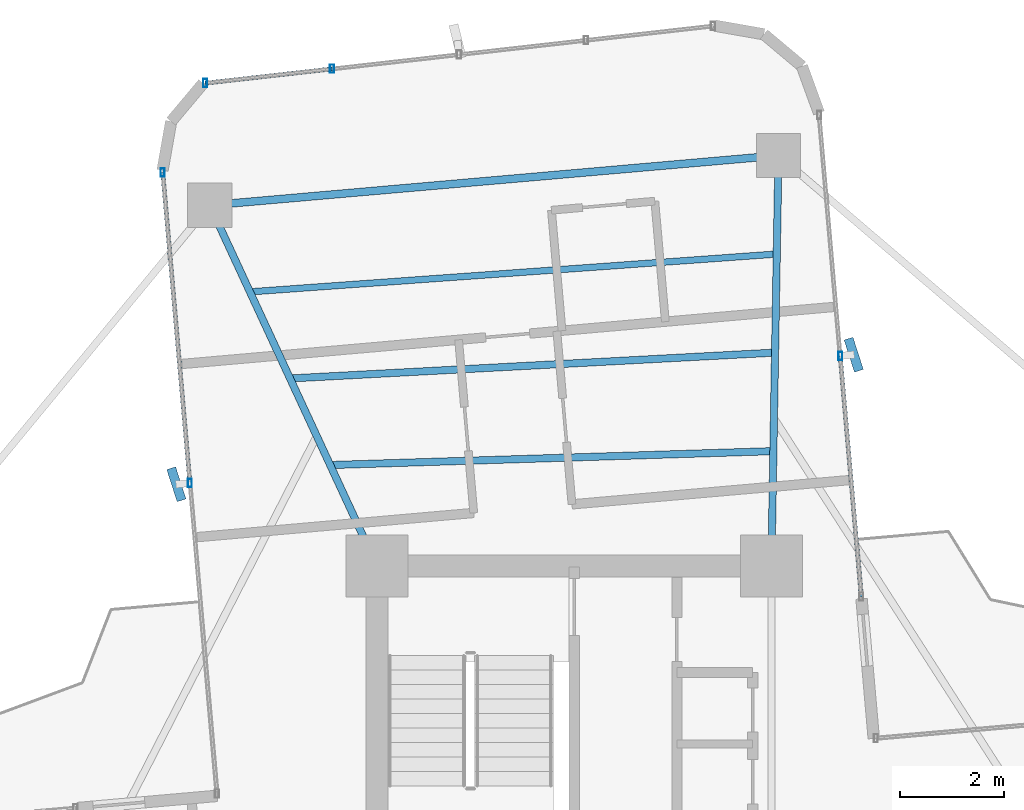
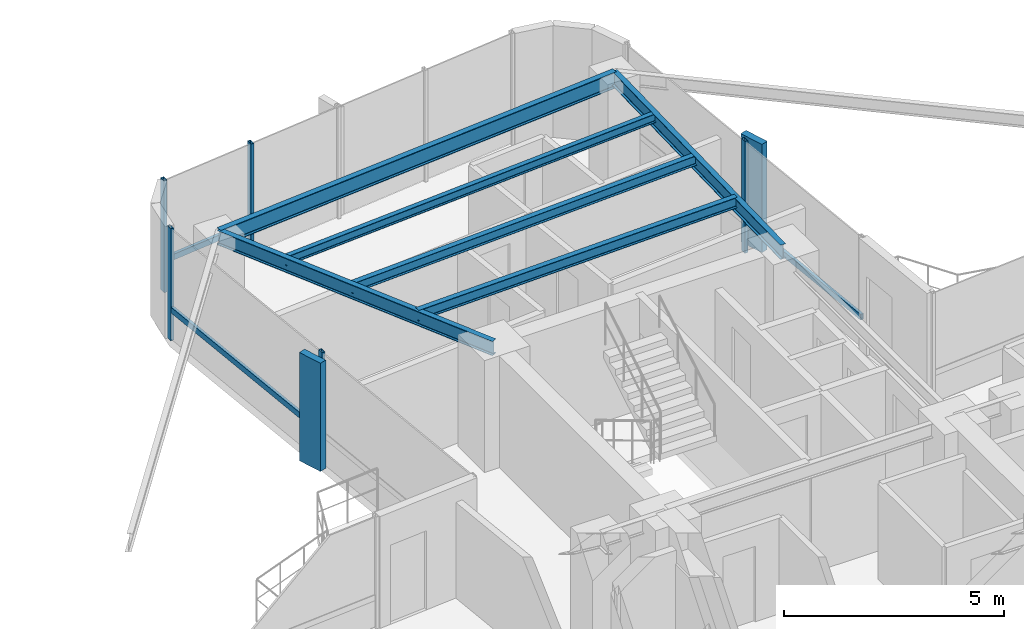
# One storey, part 16 of 24: 10 members, 6 beams, 3 elements without a shape of their own.
"""IFC4 building model written with IfcOpenShell, lengths in metres."""

from ifc_helpers import new_model, si_unit, direction, frame, origin, origin_2d, place, context, subcontext, project, spatial, rectangle, hollow_rectangle, i_section, extrude, source, transform, mapped, material, material_profile, profile_set, type_object, element, aggregate, save


model = new_model("IFC4")

# Units and contexts
model_context = context("Model", 3, precision=1e-05, world=origin(), true_north=direction((0.0, 1.0)))
body_context = subcontext(model_context, "Body", "Model", "MODEL_VIEW")
ifc_project = project(units=[si_unit("LENGTHUNIT", "METRE"), si_unit("AREAUNIT", "SQUARE_METRE"), si_unit("VOLUMEUNIT", "CUBIC_METRE"), si_unit("PLANEANGLEUNIT", "RADIAN"), si_unit("MASSUNIT", "GRAM", prefix="KILO")], contexts=[model_context])

# Site, building, storey
site_placement = place(None, origin())
site = spatial("IfcSite", under=ifc_project, at=site_placement, CompositionType="ELEMENT")
building_placement = place(site_placement, origin())
building = spatial("IfcBuilding", under=site, at=building_placement, Name="Sahyath Konkavel Grand Hotel", CompositionType="ELEMENT")
storey_placement = place(building_placement, frame((0.0, 0.0, 178.550048828125)))
storey = spatial("IfcBuildingStorey", under=building, at=storey_placement, Name="L49", CompositionType="ELEMENT", Elevation=178.550048828125)

# Beams
ifc_material_1 = material(Name="Steel E350", Category="steel")
ifc_material_profile_1 = material_profile(ifc_material_1, i_section(OverallWidth=0.139892578125, OverallDepth=0.39990234375, WebThickness=0.0087890625, FlangeThickness=0.01611328125, FilletRadius=0.013916015625, at=origin_2d()), Name="ISMB 400")
ifc_profile_set_1 = profile_set([ifc_material_profile_1], Name="Steel E350")
beam_type_1 = type_object("IfcBeamType", Name="BM-ISMB400", PredefinedType="BEAM", material=ifc_profile_set_1)
shared_shape_1 = source(origin(), body_context, "Body", "SweptSolid", [
    extrude(i_section(OverallWidth=0.139892578125, OverallDepth=0.39990234375, WebThickness=0.0087890625, FlangeThickness=0.01611328125, FilletRadius=0.013916015625, at=origin_2d()), origin(), (0.0, 0.0, 1.0), 7.913330078125),
])
beam_1_placement = place(storey_placement, frame((3.800048828125, 10.199951171875, 2.909912109375), z_axis=(0.017215419232, 0.999851803689, 0.0), x_axis=(-0.999851803689, 0.017215419232, 0.0)))
element("IfcBeam", 1, at=beam_1_placement, inside=storey, type_object=beam_type_1, Name="L49 Cruciform Radial Girder NA", PredefinedType="BEAM", context=body_context, shape_type="MappedRepresentation", body=[
    mapped(shared_shape_1, transform((0.0, 0.0, 0.0), scale=1.0)),
])
shared_shape_2 = source(origin(), body_context, "Body", "SweptSolid", [
    extrude(i_section(OverallWidth=0.139892578125, OverallDepth=0.39990234375, WebThickness=0.0087890625, FlangeThickness=0.01611328125, FilletRadius=0.013916015625, at=origin_2d()), origin(), (0.0, 0.0, 1.0), 7.66357421875),
])
beam_2_placement = place(storey_placement, frame((-3.800048828125, 10.199951171875, 2.909912109375), z_axis=(-0.420395127561, 0.907341135804, 0.0), x_axis=(-0.907341135804, -0.420395127561, 0.0)))
element("IfcBeam", 2, at=beam_2_placement, inside=storey, type_object=beam_type_1, Name="L49 Cruciform Radial Girder NB", PredefinedType="BEAM", context=body_context, shape_type="MappedRepresentation", body=[
    mapped(shared_shape_2, transform((0.0, 0.0, 0.0), scale=1.0)),
])
ifc_material_profile_2 = material_profile(ifc_material_1, i_section(OverallWidth=0.14990234375, OverallDepth=0.449951171875, WebThickness=0.009521484375, FlangeThickness=0.017333984375, FilletRadius=0.014892578125, at=origin_2d()), Name="ISMB 450")
ifc_profile_set_2 = profile_set([ifc_material_profile_2], Name="Steel E350")
beam_type_2 = type_object("IfcBeamType", Name="BM-ISMB450", PredefinedType="BEAM", material=ifc_profile_set_2)
shared_shape_3 = source(origin(), body_context, "Body", "SweptSolid", [
    extrude(i_section(OverallWidth=0.14990234375, OverallDepth=0.449951171875, WebThickness=0.009521484375, FlangeThickness=0.017333984375, FilletRadius=0.014892578125, at=origin_2d()), origin(), (0.0, 0.0, 1.0), 10.999755859375),
])
beam_3_placement = place(storey_placement, frame((3.936279296875, 18.112060546875, 2.885009765625), z_axis=(-0.99619439202, -0.087159241098, 0.0), x_axis=(0.087159241098, -0.99619439202, 0.0)))
element("IfcBeam", 3, at=beam_3_placement, inside=storey, type_object=beam_type_2, Name="L49 Wing Tip Edge Beam N", PredefinedType="BEAM", context=body_context, shape_type="MappedRepresentation", body=[
    mapped(shared_shape_3, transform((0.0, 0.0, 0.0), scale=1.0)),
])
ifc_material_profile_3 = material_profile(ifc_material_1, i_section(OverallWidth=0.139892578125, OverallDepth=0.300048828125, WebThickness=0.0078125, FlangeThickness=0.01318359375, FilletRadius=0.013916015625, at=origin_2d()), Name="ISMB 300")
ifc_profile_set_3 = profile_set([ifc_material_profile_3], Name="Steel E350")
beam_type_3 = type_object("IfcBeamType", Name="BM-ISMB300", PredefinedType="BEAM", material=ifc_profile_set_3)
shared_shape_4 = source(origin(), body_context, "Body", "SweptSolid", [
    extrude(i_section(OverallWidth=0.139892578125, OverallDepth=0.300048828125, WebThickness=0.0078125, FlangeThickness=0.01318359375, FilletRadius=0.013916015625, at=origin_2d()), origin(), (0.0, 0.0, 1.0), 8.54443359375),
])
beam_4_placement = place(storey_placement, frame((3.838134765625, 12.415283203125, 2.9599609375), z_axis=(-0.999506849365, -0.031401561632, 0.0), x_axis=(0.031401561632, -0.999506849365, 0.0)))
element("IfcBeam", 4, at=beam_4_placement, inside=storey, type_object=beam_type_3, Name="L49 Secondary Floor Beam N-1", PredefinedType="BEAM", context=body_context, shape_type="MappedRepresentation", body=[
    mapped(shared_shape_4, transform((0.0, 0.0, 0.0), scale=1.0)),
])
ifc_material_profile_4 = material_profile(ifc_material_1, i_section(OverallWidth=0.139892578125, OverallDepth=0.27490234375, WebThickness=0.00634765625, FlangeThickness=0.0087890625, FilletRadius=0.012939453125, at=origin_2d()), Name="ISLB 275")
ifc_profile_set_4 = profile_set([ifc_material_profile_4], Name="Steel E350")
beam_type_4 = type_object("IfcBeamType", Name="BM-ISLB275", PredefinedType="BEAM", material=ifc_profile_set_4)
shared_shape_5 = source(origin(), body_context, "Body", "SweptSolid", [
    extrude(i_section(OverallWidth=0.139892578125, OverallDepth=0.27490234375, WebThickness=0.00634765625, FlangeThickness=0.0087890625, FilletRadius=0.012939453125, at=origin_2d()), origin(), (0.0, 0.0, 1.0), 9.359375),
])
beam_5_placement = place(storey_placement, frame((3.870849609375, 14.314208984375, 2.972412109375), z_axis=(-0.998580397723, -0.053265272769, 0.0), x_axis=(0.053265272769, -0.998580397723, 0.0)))
element("IfcBeam", 5, at=beam_5_placement, inside=storey, type_object=beam_type_4, Name="L49 Secondary Floor Beam N-2", PredefinedType="BEAM", context=body_context, shape_type="MappedRepresentation", body=[
    mapped(shared_shape_5, transform((0.0, 0.0, 0.0), scale=1.0)),
])
ifc_material_profile_5 = material_profile(ifc_material_1, i_section(OverallWidth=0.125, OverallDepth=0.25, WebThickness=0.0068359375, FlangeThickness=0.012451171875, FilletRadius=0.012939453125, at=origin_2d()), Name="ISMB 250")
ifc_profile_set_5 = profile_set([ifc_material_profile_5], Name="Steel E350")
beam_type_5 = type_object("IfcBeamType", Name="BM-ISMB250", PredefinedType="BEAM", material=ifc_profile_set_5)
shared_shape_6 = source(origin(), body_context, "Body", "SweptSolid", [
    extrude(i_section(OverallWidth=0.125, OverallDepth=0.25, WebThickness=0.0068359375, FlangeThickness=0.012451171875, FilletRadius=0.012939453125, at=origin_2d()), origin(), (0.0, 0.0, 1.0), 10.178466796875),
])
beam_6_placement = place(storey_placement, frame((3.90380859375, 16.213134765625, 2.98486328125), z_axis=(-0.997435268886, -0.071574327683, 0.0), x_axis=(0.071574327683, -0.997435268886, 0.0)))
element("IfcBeam", 6, at=beam_6_placement, inside=storey, type_object=beam_type_5, Name="L49 Secondary Floor Beam N-3", PredefinedType="BEAM", context=body_context, shape_type="MappedRepresentation", body=[
    mapped(shared_shape_6, transform((0.0, 0.0, 0.0), scale=1.0)),
])

# Curtain wall, member
ifc_material_2 = material(Name="Anodised Bronze Aluminium & Low-E Glazing", Category="aluminium")
curtain_wall_type = type_object("IfcCurtainWallType", Name="CW-ZONE3", PredefinedType="NOTDEFINED", material=ifc_material_2)
curtain_wall_1_placement = place(storey_placement, origin())
curtain_wall_1 = element("IfcCurtainWall", 7, at=curtain_wall_1_placement, inside=storey, type_object=curtain_wall_type, Name="L49 Unitised Curtain Wall F8", PredefinedType="NOTDEFINED")
ifc_material_3 = material(Name="Anodised Bronze Aluminium", Category="aluminium")
ifc_material_profile_6 = material_profile(ifc_material_3, hollow_rectangle(XDim=0.080078125, YDim=0.159912109375, WallThickness=0.006103515625, at=origin_2d()), Name="RHS 160x80x6")
ifc_profile_set_6 = profile_set([ifc_material_profile_6], Name="Anodised Bronze Aluminium")
member_type_1 = type_object("IfcMemberType", Name="CW-MUL-160", PredefinedType="MULLION", material=ifc_profile_set_6)
shared_shape_7 = source(origin(), body_context, "Body", "SweptSolid", [
    extrude(hollow_rectangle(XDim=0.080078125, YDim=0.159912109375, WallThickness=0.006103515625, at=origin_2d()), origin(), (0.0, 0.0, 1.0), 3.10986328125),
])
member_1_placement = place(storey_placement, frame((5.12744140625, 14.251220703125, 0.0), z_axis=(0.0, 0.0, 1.0), x_axis=(1.0, 0.0, 0.0)))
member_1 = element("IfcMember", 8, at=member_1_placement, type_object=member_type_1, Name="L49 Curtain Wall Mullion F8-1", PredefinedType="MULLION", context=body_context, shape_type="MappedRepresentation", body=[
    mapped(shared_shape_7, transform((0.0, 0.0, 0.0), scale=1.0)),
])

# Curtain wall, members
curtain_wall_2_placement = place(storey_placement, origin())
curtain_wall_2 = element("IfcCurtainWall", 9, at=curtain_wall_2_placement, inside=storey, type_object=curtain_wall_type, Name="L49 Unitised Curtain Wall F12", PredefinedType="NOTDEFINED")
member_2_placement = place(storey_placement, frame((-4.665771484375, 19.783203125, 0.0), z_axis=(0.0, 0.0, 1.0), x_axis=(1.0, 0.0, 0.0)))
member_2 = element("IfcMember", 10, at=member_2_placement, type_object=member_type_1, Name="L49 Curtain Wall Mullion F12-3", PredefinedType="MULLION", context=body_context, shape_type="MappedRepresentation", body=[
    mapped(shared_shape_7, transform((0.0, 0.0, 0.0), scale=1.0)),
])
member_3_placement = place(storey_placement, frame((-7.1123046875, 19.507568359375, 0.0), z_axis=(0.0, 0.0, 1.0), x_axis=(1.0, 0.0, 0.0)))
member_3 = element("IfcMember", 11, at=member_3_placement, type_object=member_type_1, Name="L49 Curtain Wall Mullion F12-4", PredefinedType="MULLION", context=body_context, shape_type="MappedRepresentation", body=[
    mapped(shared_shape_7, transform((0.0, 0.0, 0.0), scale=1.0)),
])

curtain_wall_3_placement = place(storey_placement, origin())
curtain_wall_3 = element("IfcCurtainWall", 12, at=curtain_wall_3_placement, inside=storey, type_object=curtain_wall_type, Name="L49 Unitised Curtain Wall F15", PredefinedType="NOTDEFINED")
member_4_placement = place(storey_placement, frame((-7.930419921875, 17.78662109375, 0.0), z_axis=(0.0, 0.0, 1.0), x_axis=(1.0, 0.0, 0.0)))
member_4 = element("IfcMember", 13, at=member_4_placement, type_object=member_type_1, Name="L49 Curtain Wall Mullion F15-0", PredefinedType="MULLION", context=body_context, shape_type="MappedRepresentation", body=[
    mapped(shared_shape_7, transform((0.0, 0.0, 0.0), scale=1.0)),
])
member_5_placement = place(storey_placement, frame((-7.406494140625, 11.79931640625, 0.0), z_axis=(0.0, 0.0, 1.0), x_axis=(1.0, 0.0, 0.0)))
member_5 = element("IfcMember", 14, at=member_5_placement, type_object=member_type_1, Name="L49 Curtain Wall Mullion F15-1", PredefinedType="MULLION", context=body_context, shape_type="MappedRepresentation", body=[
    mapped(shared_shape_7, transform((0.0, 0.0, 0.0), scale=1.0)),
])

# Member
ifc_material_4 = material(Name="Warm Buff Sandstone Cladding on Concrete C50/60", Category="masonry")
ifc_material_profile_7 = material_profile(ifc_material_4, rectangle(XDim=0.179931640625, YDim=0.64990234375, at=origin_2d()), Name="FIN 180x650")
ifc_profile_set_7 = profile_set([ifc_material_profile_7], Name="Warm Buff Sandstone Cladding on Concrete C50/60")
member_type_2 = type_object("IfcMemberType", Name="FIN-SANDSTONE-650", PredefinedType="MULLION", material=ifc_profile_set_7)
shared_shape_8 = source(origin(), body_context, "Body", "SweptSolid", [
    extrude(rectangle(XDim=0.179931640625, YDim=0.64990234375, at=origin_2d()), origin(), (0.0, 0.0, 1.0), 3.010009765625),
])
member_6_placement = place(storey_placement, frame((5.386474609375, 14.273681640625, 0.050048828125), z_axis=(0.0, 0.0, 1.0), x_axis=(0.951487058208, 0.307688768178, 0.0)))
member_6 = element("IfcMember", 15, at=member_6_placement, type_object=member_type_2, Name="L49 Sandstone Vertical Solar Fin FIN F8-1", PredefinedType="MULLION", context=body_context, shape_type="MappedRepresentation", body=[
    mapped(shared_shape_8, transform((0.0, 0.0, 0.0), scale=1.0)),
])

member_7_placement = place(storey_placement, frame((-7.66552734375, 11.776611328125, 0.050048828125), z_axis=(0.0, 0.0, 1.0), x_axis=(0.951487058208, 0.307688768178, 0.0)))
member_7 = element("IfcMember", 16, at=member_7_placement, type_object=member_type_2, Name="L49 Sandstone Vertical Solar Fin FIN F15-1", PredefinedType="MULLION", context=body_context, shape_type="MappedRepresentation", body=[
    mapped(shared_shape_8, transform((0.0, 0.0, 0.0), scale=1.0)),
])

ifc_material_profile_8 = material_profile(ifc_material_3, hollow_rectangle(XDim=0.080078125, YDim=0.159912109375, WallThickness=0.006103515625, at=origin_2d()), Name="RHS 160x80x6")
ifc_profile_set_8 = profile_set([ifc_material_profile_8], Name="Anodised Bronze Aluminium")
member_type_3 = type_object("IfcMemberType", Name="CW-TRN-160", PredefinedType="USERDEFINED", material=ifc_profile_set_8)
shared_shape_9 = source(origin(), body_context, "Body", "SweptSolid", [
    extrude(hollow_rectangle(XDim=0.080078125, YDim=0.159912109375, WallThickness=0.006103515625, at=origin_2d()), origin(), (0.0, 0.0, 1.0), 4.66015625),
])
member_8_placement = place(storey_placement, frame((5.53369140625, 9.60888671875, 0.849853515625), z_axis=(-0.087176698736, 0.996192864458, 0.0), x_axis=(-0.996192864458, -0.087176698736, 0.0)))
member_8 = element("IfcMember", 17, at=member_8_placement, type_object=member_type_3, Name="L49 Curtain Wall Transom F8-0-spandrel", ObjectType="TRANSOM", PredefinedType="USERDEFINED", context=body_context, shape_type="MappedRepresentation", body=[
    mapped(shared_shape_9, transform((0.0, 0.0, 0.0), scale=1.0)),
])

aggregate(curtain_wall_1, [member_1, member_6, member_8])

shared_shape_10 = source(origin(), body_context, "Body", "SweptSolid", [
    extrude(hollow_rectangle(XDim=0.080078125, YDim=0.159912109375, WallThickness=0.006103515625, at=origin_2d()), origin(), (0.0, 0.0, 1.0), 2.4619140625),
])
member_9_placement = place(storey_placement, frame((-4.665771484375, 19.783203125, 0.849853515625), z_axis=(-0.993713263833, -0.111955121731, 0.0), x_axis=(0.111955121731, -0.993713263833, 0.0)))
member_9 = element("IfcMember", 18, at=member_9_placement, type_object=member_type_3, Name="L49 Curtain Wall Transom F12-3-spandrel", ObjectType="TRANSOM", PredefinedType="USERDEFINED", context=body_context, shape_type="MappedRepresentation", body=[
    mapped(shared_shape_10, transform((0.0, 0.0, 0.0), scale=1.0)),
])

aggregate(curtain_wall_2, [member_2, member_3, member_9])

shared_shape_11 = source(origin(), body_context, "Body", "SweptSolid", [
    extrude(hollow_rectangle(XDim=0.080078125, YDim=0.159912109375, WallThickness=0.006103515625, at=origin_2d()), origin(), (0.0, 0.0, 1.0), 6.01025390625),
])
member_10_placement = place(storey_placement, frame((-7.930419921875, 17.78662109375, 0.849853515625), z_axis=(0.087172997156, -0.996193188376, 0.0), x_axis=(0.996193188376, 0.087172997156, 0.0)))
member_10 = element("IfcMember", 19, at=member_10_placement, type_object=member_type_3, Name="L49 Curtain Wall Transom F15-0-spandrel", ObjectType="TRANSOM", PredefinedType="USERDEFINED", context=body_context, shape_type="MappedRepresentation", body=[
    mapped(shared_shape_11, transform((0.0, 0.0, 0.0), scale=1.0)),
])

aggregate(curtain_wall_3, [member_4, member_5, member_7, member_10])

save(model, "model.ifc")
